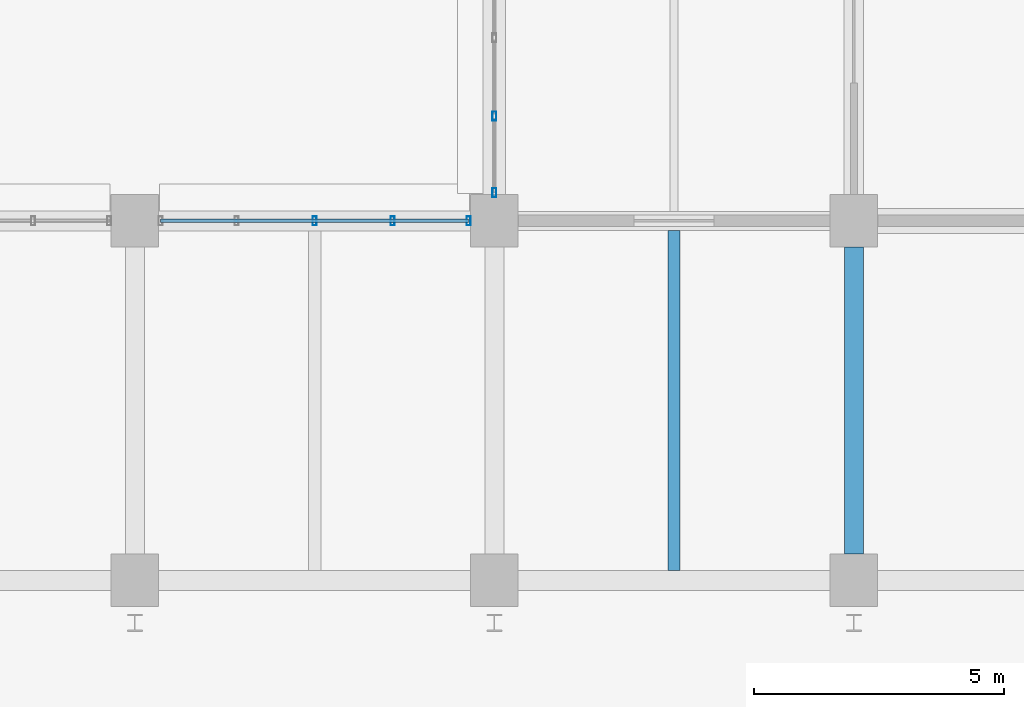
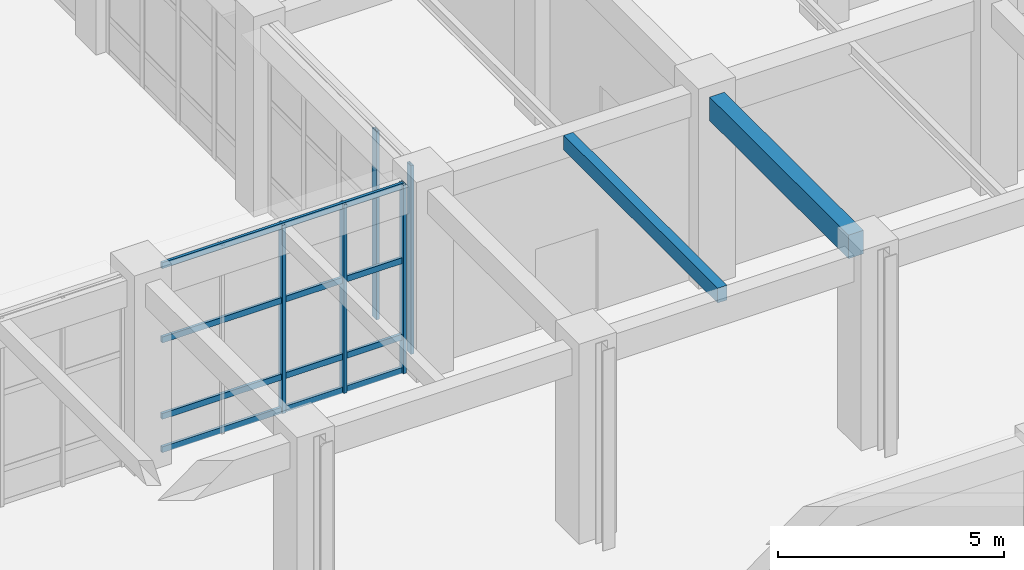
# One storey, part 93 of 160: 9 members, 2 beams, 2 elements without a shape of their own.
"""IFC4 building model written with IfcOpenShell, lengths in metres."""

from ifc_helpers import new_model, si_unit, direction, frame, origin, origin_2d, place, context, subcontext, project, spatial, rectangle, hollow_rectangle, extrude, material, material_profile, profile_set, type_object, element, aggregate, save


model = new_model("IFC4")

# Units and contexts
model_context = context("Model", 3, precision=1e-05, world=origin(), true_north=direction((0.0, 1.0)))
body_context = subcontext(model_context, "Body", "Model", "MODEL_VIEW")
ifc_project = project(units=[si_unit("LENGTHUNIT", "METRE"), si_unit("AREAUNIT", "SQUARE_METRE"), si_unit("VOLUMEUNIT", "CUBIC_METRE"), si_unit("PLANEANGLEUNIT", "RADIAN"), si_unit("MASSUNIT", "GRAM", prefix="KILO")], contexts=[model_context])

# Site, building, storey
site_placement = place(None, origin())
site = spatial("IfcSite", under=ifc_project, at=site_placement, CompositionType="ELEMENT")
building_placement = place(site_placement, origin())
building = spatial("IfcBuilding", under=site, at=building_placement, Name="Thalmaran Polytechnic", CompositionType="ELEMENT")
storey_placement = place(building_placement, origin())
storey = spatial("IfcBuildingStorey", under=building, at=storey_placement, Name="L00", CompositionType="ELEMENT", Elevation=0.0)

# Beams
ifc_material_1 = material(Name="Concrete C40/50", Category="concrete")
ifc_material_profile_1 = material_profile(ifc_material_1, rectangle(XDim=0.3798828125, YDim=0.635009765625, at=origin_2d()), Name="RC 380x635")
ifc_profile_set_1 = profile_set([ifc_material_profile_1], Name="Concrete C40/50")
beam_type_1 = type_object("IfcBeamType", Name="BM-ZB06", PredefinedType="BEAM", material=ifc_profile_set_1)
beam_1_placement = place(storey_placement, frame((136.800048828125, 50.925048828125, 4.7724609375), z_axis=(0.0, 1.0, 0.0), x_axis=(-1.0, 0.0, 0.0)))
element("IfcBeam", 1, at=beam_1_placement, inside=storey, type_object=beam_type_1, Name="Grid Beam ZB06 L00 Y(19,7)", PredefinedType="BEAM", context=body_context, shape_type="SweptSolid", body=[
    extrude(rectangle(XDim=0.3798828125, YDim=0.635009765625, at=origin_2d()), origin(), (0.0, 0.0, 1.0), 6.14990234375),
])
ifc_material_profile_2 = material_profile(ifc_material_1, rectangle(XDim=0.239990234375, YDim=0.39990234375, at=origin_2d()), Name="RC 240x400")
ifc_profile_set_2 = profile_set([ifc_material_profile_2], Name="Concrete C40/50")
beam_type_2 = type_object("IfcBeamType", Name="BM-ZJ04", PredefinedType="JOIST", material=ifc_profile_set_2)
beam_2_placement = place(storey_placement, frame((133.199951171875, 50.60009765625, 4.889892578125), z_axis=(0.0, 1.0, 0.0), x_axis=(-1.0, 0.0, 0.0)))
element("IfcBeam", 2, at=beam_2_placement, inside=storey, type_object=beam_type_2, Name="Secondary Floor Rib ZJ04 L00 (18,7)", PredefinedType="JOIST", context=body_context, shape_type="SweptSolid", body=[
    extrude(rectangle(XDim=0.239990234375, YDim=0.39990234375, at=origin_2d()), origin(), (0.0, 0.0, 1.0), 6.809814453125),
])

# Curtain wall, members
ifc_material_2 = material(Name="Aluminium 6063-T6", Category="aluminium")
curtain_wall_type = type_object("IfcCurtainWallType", Name="CW-UC01", PredefinedType="USERDEFINED", material=ifc_material_2)
curtain_wall_1_placement = place(storey_placement, origin())
curtain_wall_1 = element("IfcCurtainWall", 3, at=curtain_wall_1_placement, inside=storey, type_object=curtain_wall_type, Name="Curtain Wall CW-L00-066", ObjectType="UNITISED CURTAIN WALL", PredefinedType="USERDEFINED")
ifc_material_profile_3 = material_profile(ifc_material_2, hollow_rectangle(XDim=0.080078125, YDim=0.179931640625, WallThickness=0.0048828125, at=origin_2d()), Name="RHS 180x80x5.0")
ifc_profile_set_3 = profile_set([ifc_material_profile_3], Name="Aluminium 6063-T6")
member_type_1 = type_object("IfcMemberType", Name="CW-MUL1", PredefinedType="MULLION", material=ifc_profile_set_3)
member_1_placement = place(storey_placement, frame((126.0, 57.60009765625, 0.0), z_axis=(0.0, 0.0, 1.0), x_axis=(1.0, 0.0, 0.0)))
member_1 = element("IfcMember", 4, at=member_1_placement, type_object=member_type_1, Name="CW-L00-066 Mullion 3", PredefinedType="MULLION", context=body_context, shape_type="SweptSolid", body=[
    extrude(hollow_rectangle(XDim=0.080078125, YDim=0.179931640625, WallThickness=0.0048828125, at=origin_2d()), origin(), (0.0, 0.0, 1.0), 5.090087890625),
])
member_2_placement = place(storey_placement, frame((127.5625, 57.60009765625, 0.0), z_axis=(0.0, 0.0, 1.0), x_axis=(1.0, 0.0, 0.0)))
member_2 = element("IfcMember", 5, at=member_2_placement, type_object=member_type_1, Name="CW-L00-066 Mullion 4", PredefinedType="MULLION", context=body_context, shape_type="SweptSolid", body=[
    extrude(hollow_rectangle(XDim=0.080078125, YDim=0.179931640625, WallThickness=0.0048828125, at=origin_2d()), origin(), (0.0, 0.0, 1.0), 5.090087890625),
])
member_3_placement = place(storey_placement, frame((129.0849609375, 57.60009765625, 0.0), z_axis=(0.0, 0.0, 1.0), x_axis=(1.0, 0.0, 0.0)))
member_3 = element("IfcMember", 6, at=member_3_placement, type_object=member_type_1, Name="CW-L00-066 Mullion 5", PredefinedType="MULLION", context=body_context, shape_type="SweptSolid", body=[
    extrude(hollow_rectangle(XDim=0.080078125, YDim=0.179931640625, WallThickness=0.0048828125, at=origin_2d()), origin(), (0.0, 0.0, 1.0), 5.090087890625),
])

curtain_wall_2_placement = place(storey_placement, origin())
curtain_wall_2 = element("IfcCurtainWall", 7, at=curtain_wall_2_placement, inside=storey, type_object=curtain_wall_type, Name="Curtain Wall CW-L00-067", ObjectType="UNITISED CURTAIN WALL", PredefinedType="USERDEFINED")
member_4_placement = place(storey_placement, frame((129.60009765625, 58.1650390625, 0.0), z_axis=(0.0, 0.0, 1.0), x_axis=(1.0, 0.0, 0.0)))
member_4 = element("IfcMember", 8, at=member_4_placement, type_object=member_type_1, Name="CW-L00-067 Mullion 1", PredefinedType="MULLION", context=body_context, shape_type="SweptSolid", body=[
    extrude(hollow_rectangle(XDim=0.080078125, YDim=0.179931640625, WallThickness=0.0048828125, at=origin_2d()), origin(), (0.0, 0.0, 1.0), 5.090087890625),
])
member_5_placement = place(storey_placement, frame((129.60009765625, 59.69384765625, 0.0), z_axis=(0.0, 0.0, 1.0), x_axis=(1.0, 0.0, 0.0)))
member_5 = element("IfcMember", 9, at=member_5_placement, type_object=member_type_1, Name="CW-L00-067 Mullion 2", PredefinedType="MULLION", context=body_context, shape_type="SweptSolid", body=[
    extrude(hollow_rectangle(XDim=0.080078125, YDim=0.179931640625, WallThickness=0.0048828125, at=origin_2d()), origin(), (0.0, 0.0, 1.0), 5.090087890625),
])
aggregate(curtain_wall_2, [member_4, member_5])

# Member
ifc_material_profile_4 = material_profile(ifc_material_2, hollow_rectangle(XDim=0.070068359375, YDim=0.159912109375, WallThickness=0.00390625, at=origin_2d()), Name="AL 160x70x4.0")
ifc_profile_set_4 = profile_set([ifc_material_profile_4], Name="Aluminium 6063-T6")
member_type_2 = type_object("IfcMemberType", Name="CW-TRN1", PredefinedType="USERDEFINED", material=ifc_profile_set_4)
member_6_placement = place(storey_placement, frame((122.9150390625, 57.60009765625, 0.06005859375), z_axis=(1.0, 0.0, 0.0), x_axis=(0.0, 1.0, 0.0)))
member_6 = element("IfcMember", 10, at=member_6_placement, type_object=member_type_2, Name="CW-L00-066 Transom 1", ObjectType="TRANSOM", PredefinedType="USERDEFINED", context=body_context, shape_type="SweptSolid", body=[
    extrude(hollow_rectangle(XDim=0.070068359375, YDim=0.159912109375, WallThickness=0.00390625, at=origin_2d()), origin(), (0.0, 0.0, 1.0), 6.169921875),
])

member_7_placement = place(storey_placement, frame((122.9150390625, 57.60009765625, 0.9599609375), z_axis=(1.0, 0.0, 0.0), x_axis=(0.0, 1.0, 0.0)))
member_7 = element("IfcMember", 11, at=member_7_placement, type_object=member_type_2, Name="CW-L00-066 Transom 2", ObjectType="TRANSOM", PredefinedType="USERDEFINED", context=body_context, shape_type="SweptSolid", body=[
    extrude(hollow_rectangle(XDim=0.070068359375, YDim=0.159912109375, WallThickness=0.00390625, at=origin_2d()), origin(), (0.0, 0.0, 1.0), 6.169921875),
])

member_8_placement = place(storey_placement, frame((122.9150390625, 57.60009765625, 3.02490234375), z_axis=(1.0, 0.0, 0.0), x_axis=(0.0, 1.0, 0.0)))
member_8 = element("IfcMember", 12, at=member_8_placement, type_object=member_type_2, Name="CW-L00-066 Transom 3", ObjectType="TRANSOM", PredefinedType="USERDEFINED", context=body_context, shape_type="SweptSolid", body=[
    extrude(hollow_rectangle(XDim=0.070068359375, YDim=0.159912109375, WallThickness=0.00390625, at=origin_2d()), origin(), (0.0, 0.0, 1.0), 6.169921875),
])

member_9_placement = place(storey_placement, frame((122.9150390625, 57.60009765625, 5.030029296875), z_axis=(1.0, 0.0, 0.0), x_axis=(0.0, 1.0, 0.0)))
member_9 = element("IfcMember", 13, at=member_9_placement, type_object=member_type_2, Name="CW-L00-066 Transom 4", ObjectType="TRANSOM", PredefinedType="USERDEFINED", context=body_context, shape_type="SweptSolid", body=[
    extrude(hollow_rectangle(XDim=0.070068359375, YDim=0.159912109375, WallThickness=0.00390625, at=origin_2d()), origin(), (0.0, 0.0, 1.0), 6.169921875),
])

aggregate(curtain_wall_1, [member_1, member_2, member_3, member_6, member_7, member_8, member_9])

save(model, "model.ifc")
